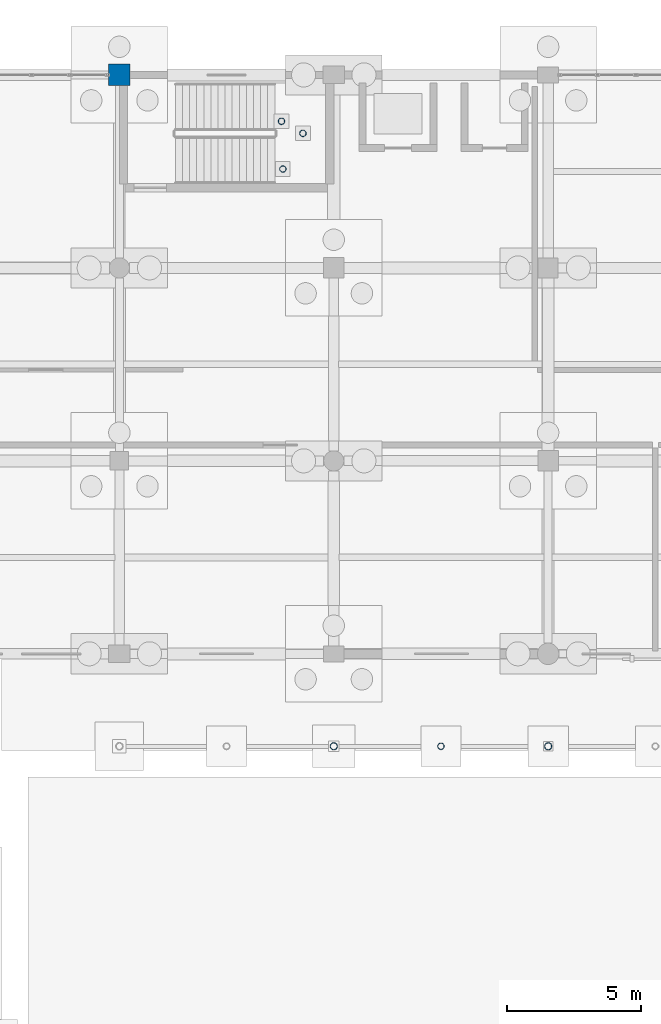
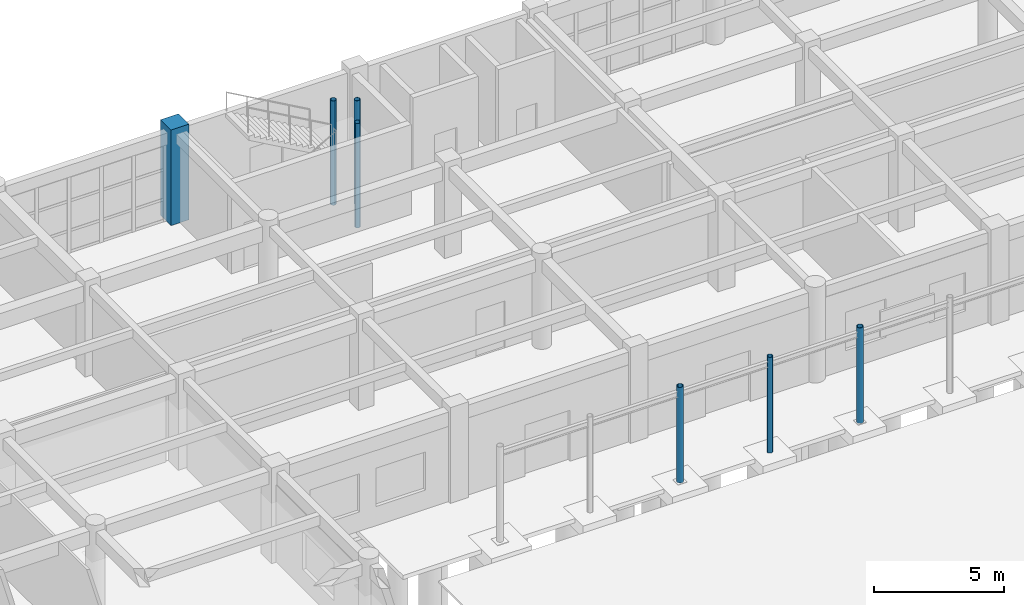
# One storey, part 34 of 166: 7 columns.
"""IFC4 building model written with IfcOpenShell, lengths in metres."""

from ifc_helpers import new_model, si_unit, direction, frame, origin, origin_2d, place, context, subcontext, project, spatial, rectangle, hollow_circle, extrude, material, material_profile, profile_set, type_object, element, save


model = new_model("IFC4")

# Units and contexts
model_context = context("Model", 3, precision=1e-05, world=origin(), true_north=direction((0.0, 1.0)))
body_context = subcontext(model_context, "Body", "Model", "MODEL_VIEW")
ifc_project = project(units=[si_unit("LENGTHUNIT", "METRE"), si_unit("AREAUNIT", "SQUARE_METRE"), si_unit("VOLUMEUNIT", "CUBIC_METRE"), si_unit("PLANEANGLEUNIT", "RADIAN"), si_unit("MASSUNIT", "GRAM", prefix="KILO")], contexts=[model_context])

# Site, building, storey
site_placement = place(None, origin())
site = spatial("IfcSite", under=ifc_project, at=site_placement, CompositionType="ELEMENT")
building_placement = place(site_placement, origin())
building = spatial("IfcBuilding", under=site, at=building_placement, Name="Kharva Crest Polytechnic", CompositionType="ELEMENT")
storey_placement = place(building_placement, origin())
storey = spatial("IfcBuildingStorey", under=building, at=storey_placement, Name="L00", CompositionType="ELEMENT", Elevation=0.0)

# Columns
ifc_material_1 = material(Name="Concrete C40/50", Category="concrete")
ifc_material_profile_1 = material_profile(ifc_material_1, rectangle(XDim=0.800048828125, YDim=0.800048828125, at=origin_2d()), Name="RECT 800 X 800")
ifc_profile_set_1 = profile_set([ifc_material_profile_1], Name="Concrete C40/50")
column_type_1 = type_object("IfcColumnType", Name="COL-EXT-800X800", PredefinedType="COLUMN", material=ifc_profile_set_1)
column_1_placement = place(storey_placement, frame((56.0, 122.0, 0.0), z_axis=(0.0, 0.0, 1.0), x_axis=(1.0, 0.0, 0.0)))
element("IfcColumn", 1, at=column_1_placement, inside=storey, type_object=column_type_1, Name="L00 Column 8/S", PredefinedType="COLUMN", context=body_context, shape_type="SweptSolid", body=[
    extrude(rectangle(XDim=0.800048828125, YDim=0.800048828125, at=origin_2d()), origin(), (0.0, 0.0, 1.0), 4.5),
])
ifc_material_2 = material(Name="Steel S355", Category="steel")
ifc_material_profile_2 = material_profile(ifc_material_2, hollow_circle(Radius=0.122314453125, WallThickness=0.010009765625, at=origin_2d()), Name="CHS 244.5X10.0")
ifc_profile_set_2 = profile_set([ifc_material_profile_2], Name="Steel S355")
column_type_2 = type_object("IfcColumnType", Name="COL-STL-CHS244", PredefinedType="COLUMN", material=ifc_profile_set_2)
column_2_placement = place(storey_placement, frame((68.0, 96.949951171875, 0.0), z_axis=(0.0, 0.0, 1.0), x_axis=(1.0, 0.0, 0.0)))
element("IfcColumn", 2, at=column_2_placement, inside=storey, type_object=column_type_2, Name="L00 Colonnade Mid Column VNM02", PredefinedType="COLUMN", context=body_context, shape_type="SweptSolid", body=[
    extrude(hollow_circle(Radius=0.122314453125, WallThickness=0.010009765625, at=origin_2d()), origin(), (0.0, 0.0, 1.0), 4.5),
])
for number, where, z_axis, x_axis, name in (
    (3, (62.10009765625, 118.489990234375, -0.405029296875), (0.0, 0.0, 1.0), (1.0, 0.0, 0.0), "L00 Stair ST-03 Landing Support Column SW"),
    (4, (62.050048828125, 120.27001953125, -0.405029296875), (0.0, 0.0, 1.0), (1.0, 0.0, 0.0), "L00 Stair ST-03 Landing Support Column NW"),
    (5, (62.85009765625, 119.820068359375, -0.405029296875), (0.0, 0.0, 1.0), (1.0, 0.0, 0.0), "L00 Stair ST-03 Landing Support Column EM"),
):
    element("IfcColumn", number, at=place(storey_placement, frame(where, z_axis=z_axis, x_axis=x_axis)), inside=storey, type_object=column_type_2, Name=name, PredefinedType="COLUMN", context=body_context, shape_type="SweptSolid", body=[
        extrude(hollow_circle(Radius=0.122314453125, WallThickness=0.010009765625, at=origin_2d()), origin(), (0.0, 0.0, 1.0), 4.905029296875),
    ])
ifc_material_profile_3 = material_profile(ifc_material_2, hollow_circle(Radius=0.136474609375, WallThickness=0.012451171875, at=origin_2d()), Name="CHS 273.0X12.5")
ifc_profile_set_3 = profile_set([ifc_material_profile_3], Name="Steel S355")
column_type_3 = type_object("IfcColumnType", Name="COL-STL-CHS273", PredefinedType="COLUMN", material=ifc_profile_set_3)
for number, where, z_axis, x_axis, name in (
    (6, (64.0, 96.949951171875, 0.0), (0.0, 0.0, 1.0), (1.0, 0.0, 0.0), "L00 Colonnade Column VN02"),
    (7, (72.0, 96.949951171875, 0.0), (0.0, 0.0, 1.0), (1.0, 0.0, 0.0), "L00 Colonnade Column VN03"),
):
    element("IfcColumn", number, at=place(storey_placement, frame(where, z_axis=z_axis, x_axis=x_axis)), inside=storey, type_object=column_type_3, Name=name, PredefinedType="COLUMN", context=body_context, shape_type="SweptSolid", body=[
        extrude(hollow_circle(Radius=0.136474609375, WallThickness=0.012451171875, at=origin_2d()), origin(), (0.0, 0.0, 1.0), 4.5),
    ])

save(model, "model.ifc")
